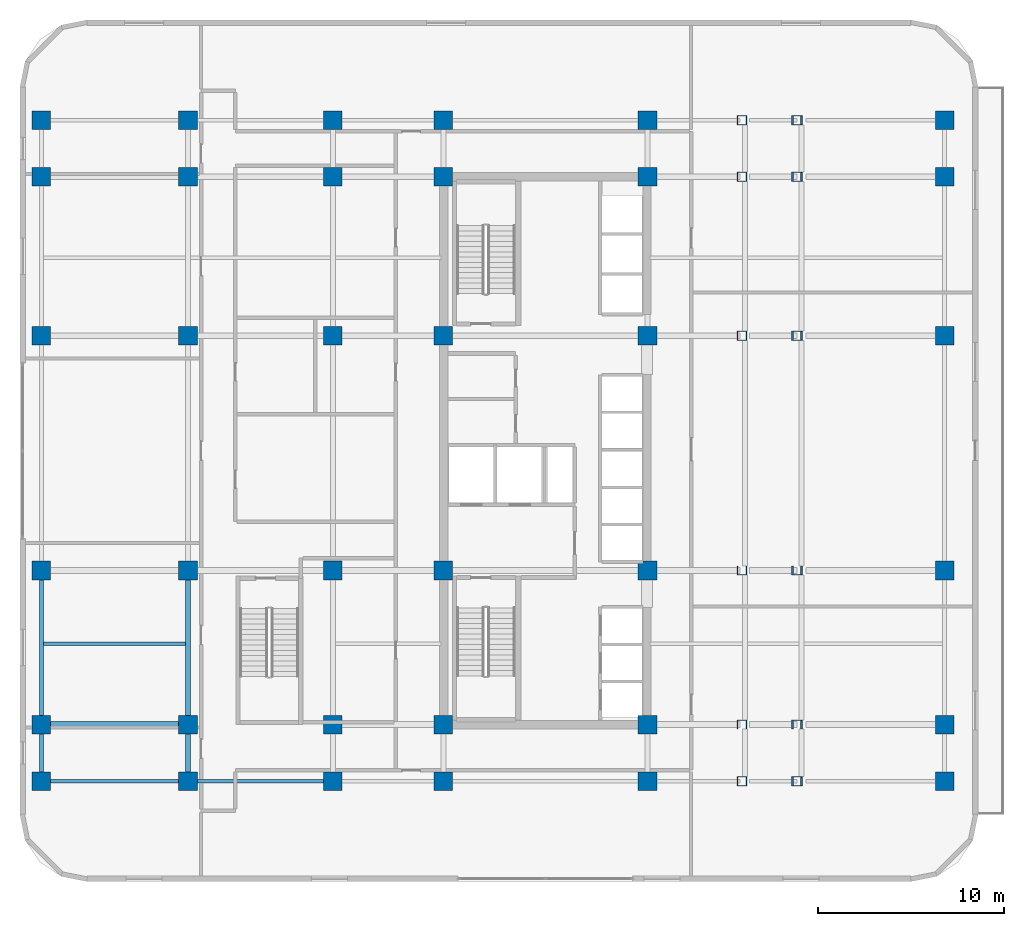
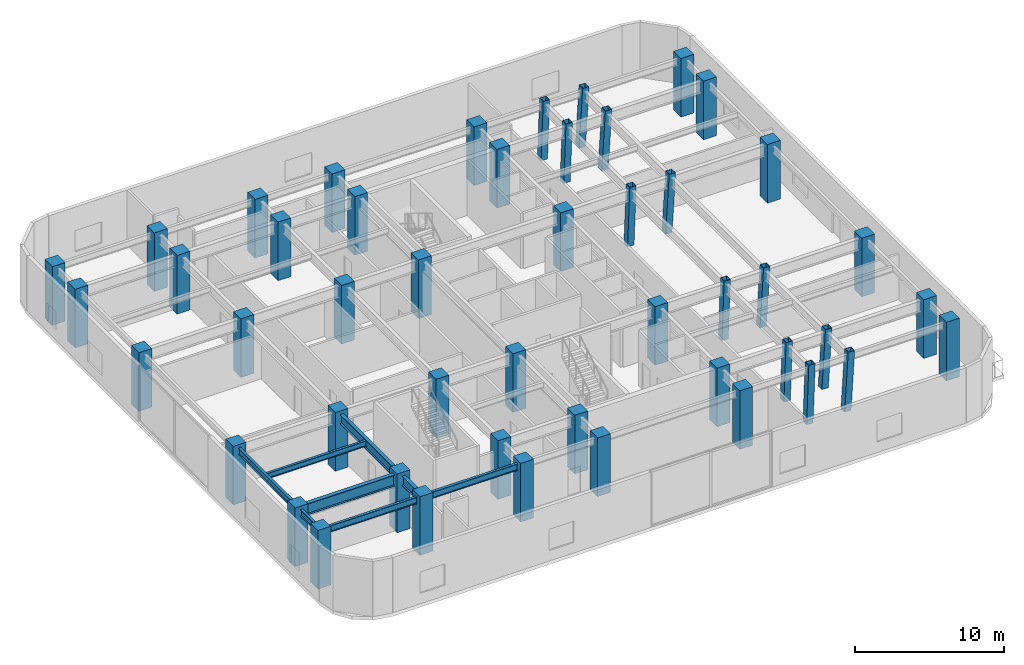
# One storey, part 1 of 12: 48 columns, 8 beams.
"""IFC4 building model written with IfcOpenShell, lengths in metres."""

from ifc_helpers import new_model, si_unit, direction, frame, origin, origin_2d, place, context, subcontext, project, spatial, rectangle, hollow_rectangle, i_section, extrude, material, material_profile, profile_set, type_object, element, save


model = new_model("IFC4")

# Units and contexts
model_context = context("Model", 3, precision=1e-05, world=origin(), true_north=direction((0.0, 1.0)))
body_context = subcontext(model_context, "Body", "Model", "MODEL_VIEW")
ifc_project = project(units=[si_unit("LENGTHUNIT", "METRE"), si_unit("AREAUNIT", "SQUARE_METRE"), si_unit("VOLUMEUNIT", "CUBIC_METRE"), si_unit("PLANEANGLEUNIT", "RADIAN"), si_unit("MASSUNIT", "GRAM", prefix="KILO")], contexts=[model_context])

# Site, building, storey
site_placement = place(None, origin())
site = spatial("IfcSite", under=ifc_project, at=site_placement, CompositionType="ELEMENT")
building_placement = place(site_placement, origin())
building = spatial("IfcBuilding", under=site, at=building_placement, Name="Ochreholt Gables", CompositionType="ELEMENT")
storey_placement = place(building_placement, frame((0.0, 0.0, 9.60009765625)))
storey = spatial("IfcBuildingStorey", under=building, at=storey_placement, Name="L02", CompositionType="ELEMENT", Elevation=9.60009765625)

# Columns
ifc_material_1 = material(Name="Steel CSA G40.21 350W", Category="steel")
ifc_material_profile_1 = material_profile(ifc_material_1, hollow_rectangle(XDim=0.5, YDim=0.5, WallThickness=0.02197265625, at=origin_2d()), Name="HSS500X500X22")
ifc_profile_set_1 = profile_set([ifc_material_profile_1], Name="Steel CSA G40.21 350W")
column_type_1 = type_object("IfcColumnType", Name="COL-HSS500-RAK", PredefinedType="COLUMN", material=ifc_profile_set_1)
for number, where, z_axis, x_axis, name in (
    (1, (40.27197265625, 9.25, 0.0), (0.034973505036, 0.0, 0.999388239847), (0.0, 1.0, 0.0), "L02 Column EMY2"),
    (2, (40.27197265625, 17.550048828125, 0.0), (0.034973505036, 0.0, 0.999388239847), (0.0, 1.0, 0.0), "L02 Column EMY3"),
    (3, (40.27197265625, 30.199951171875, 0.0), (0.034973505036, 0.0, 0.999388239847), (0.0, 1.0, 0.0), "L02 Column EMY4"),
    (4, (40.27197265625, 38.75, 0.0), (0.034973505036, 0.0, 0.999388239847), (0.0, 1.0, 0.0), "L02 Column EMY5"),
):
    element("IfcColumn", number, at=place(storey_placement, frame(where, z_axis=z_axis, x_axis=x_axis)), inside=storey, type_object=column_type_1, Name=name, PredefinedType="COLUMN", context=body_context, shape_type="SweptSolid", body=[
        extrude(hollow_rectangle(XDim=0.5, YDim=0.5, WallThickness=0.02197265625, at=origin_2d()), origin(), (0.0, 0.0, 1.0), 4.802734375),
    ])
for number, where, z_axis, x_axis, name in (
    (5, (43.213623046875, 9.25, 0.0), (0.057888518877, 0.0, 0.998323053617), (0.0, 1.0, 0.0), "L02 Column EEY2"),
    (6, (43.213623046875, 17.550048828125, 0.0), (0.057888518877, 0.0, 0.998323053617), (0.0, 1.0, 0.0), "L02 Column EEY3"),
    (7, (43.213623046875, 30.199951171875, 0.0), (0.057888518877, 0.0, 0.998323053617), (0.0, 1.0, 0.0), "L02 Column EEY4"),
    (8, (43.213623046875, 38.75, 0.0), (0.057888518877, 0.0, 0.998323053617), (0.0, 1.0, 0.0), "L02 Column EEY5"),
):
    element("IfcColumn", number, at=place(storey_placement, frame(where, z_axis=z_axis, x_axis=x_axis)), inside=storey, type_object=column_type_1, Name=name, PredefinedType="COLUMN", context=body_context, shape_type="SweptSolid", body=[
        extrude(hollow_rectangle(XDim=0.5, YDim=0.5, WallThickness=0.02197265625, at=origin_2d()), origin(), (0.0, 0.0, 1.0), 4.807861328125),
    ])
ifc_material_profile_2 = material_profile(ifc_material_1, hollow_rectangle(XDim=0.5, YDim=0.5, WallThickness=0.02197265625, at=origin_2d()), Name="HSS500X500X22")
ifc_profile_set_2 = profile_set([ifc_material_profile_2], Name="Steel CSA G40.21 350W")
column_type_2 = type_object("IfcColumnType", Name="COL-HSS500-RAKE", PredefinedType="COLUMN", material=ifc_profile_set_2)
for number, where, z_axis, x_axis, name in (
    (9, (40.27197265625, 6.199951171875, 0.0), (0.034973505036, 0.0, 0.999388239847), (0.0, 1.0, 0.0), "L02 Column EMY1"),
    (10, (40.27197265625, 41.800048828125, 0.0), (0.034973505036, 0.0, 0.999388239847), (0.0, 1.0, 0.0), "L02 Column EMY6"),
):
    element("IfcColumn", number, at=place(storey_placement, frame(where, z_axis=z_axis, x_axis=x_axis)), inside=storey, type_object=column_type_2, Name=name, PredefinedType="COLUMN", context=body_context, shape_type="SweptSolid", body=[
        extrude(hollow_rectangle(XDim=0.5, YDim=0.5, WallThickness=0.02197265625, at=origin_2d()), origin(), (0.0, 0.0, 1.0), 4.802734375),
    ])
for number, where, z_axis, x_axis, name in (
    (11, (43.213623046875, 6.199951171875, 0.0), (0.057888518877, 0.0, 0.998323053617), (0.0, 1.0, 0.0), "L02 Column EEY1"),
    (12, (43.213623046875, 41.800048828125, 0.0), (0.057888518877, 0.0, 0.998323053617), (0.0, 1.0, 0.0), "L02 Column EEY6"),
):
    element("IfcColumn", number, at=place(storey_placement, frame(where, z_axis=z_axis, x_axis=x_axis)), inside=storey, type_object=column_type_2, Name=name, PredefinedType="COLUMN", context=body_context, shape_type="SweptSolid", body=[
        extrude(hollow_rectangle(XDim=0.5, YDim=0.5, WallThickness=0.02197265625, at=origin_2d()), origin(), (0.0, 0.0, 1.0), 4.807861328125),
    ])
ifc_material_2 = material(Name="Concrete 60 MPa", Category="concrete")
ifc_material_profile_3 = material_profile(ifc_material_2, rectangle(XDim=1.0, YDim=1.0, at=origin_2d()), Name="RC1000X1000")
ifc_profile_set_3 = profile_set([ifc_material_profile_3], Name="Concrete 60 MPa")
column_type_3 = type_object("IfcColumnType", Name="COL-RC1000-EXT", PredefinedType="COLUMN", material=ifc_profile_set_3)
for number, where, z_axis, x_axis, name in (
    (13, (2.550048828125, 6.199951171875, 0.0), (0.0, 0.0, 1.0), (1.0, 0.0, 0.0), "L02 Column W1Y1"),
    (14, (2.550048828125, 9.25, 0.0), (0.0, 0.0, 1.0), (1.0, 0.0, 0.0), "L02 Column W1Y2"),
    (15, (2.550048828125, 17.550048828125, 0.0), (0.0, 0.0, 1.0), (1.0, 0.0, 0.0), "L02 Column W1Y3"),
    (16, (2.550048828125, 30.199951171875, 0.0), (0.0, 0.0, 1.0), (1.0, 0.0, 0.0), "L02 Column W1Y4"),
    (17, (2.550048828125, 38.75, 0.0), (0.0, 0.0, 1.0), (1.0, 0.0, 0.0), "L02 Column W1Y5"),
    (18, (2.550048828125, 41.800048828125, 0.0), (0.0, 0.0, 1.0), (1.0, 0.0, 0.0), "L02 Column W1Y6"),
    (19, (10.449951171875, 6.199951171875, 0.0), (0.0, 0.0, 1.0), (1.0, 0.0, 0.0), "L02 Column W2Y1"),
    (20, (10.449951171875, 41.800048828125, 0.0), (0.0, 0.0, 1.0), (1.0, 0.0, 0.0), "L02 Column W2Y6"),
    (21, (18.25, 6.199951171875, 0.0), (0.0, 0.0, 1.0), (1.0, 0.0, 0.0), "L02 Column W3Y1"),
    (22, (18.25, 41.800048828125, 0.0), (0.0, 0.0, 1.0), (1.0, 0.0, 0.0), "L02 Column W3Y6"),
    (23, (24.199951171875, 6.199951171875, 0.0), (0.0, 0.0, 1.0), (1.0, 0.0, 0.0), "L02 Column C1Y1"),
    (24, (24.199951171875, 41.800048828125, 0.0), (0.0, 0.0, 1.0), (1.0, 0.0, 0.0), "L02 Column C1Y6"),
    (25, (35.199951171875, 6.199951171875, 0.0), (0.0, 0.0, 1.0), (1.0, 0.0, 0.0), "L02 Column C2Y1"),
    (26, (35.199951171875, 41.800048828125, 0.0), (0.0, 0.0, 1.0), (1.0, 0.0, 0.0), "L02 Column C2Y6"),
    (27, (51.199951171875, 6.199951171875, 0.0), (0.0, 0.0, 1.0), (1.0, 0.0, 0.0), "L02 Column E3Y1"),
    (28, (51.199951171875, 9.25, 0.0), (0.0, 0.0, 1.0), (1.0, 0.0, 0.0), "L02 Column E3Y2"),
    (29, (51.199951171875, 17.550048828125, 0.0), (0.0, 0.0, 1.0), (1.0, 0.0, 0.0), "L02 Column E3Y3"),
    (30, (51.199951171875, 30.199951171875, 0.0), (0.0, 0.0, 1.0), (1.0, 0.0, 0.0), "L02 Column E3Y4"),
    (31, (51.199951171875, 38.75, 0.0), (0.0, 0.0, 1.0), (1.0, 0.0, 0.0), "L02 Column E3Y5"),
    (32, (51.199951171875, 41.800048828125, 0.0), (0.0, 0.0, 1.0), (1.0, 0.0, 0.0), "L02 Column E3Y6"),
):
    element("IfcColumn", number, at=place(storey_placement, frame(where, z_axis=z_axis, x_axis=x_axis)), inside=storey, type_object=column_type_3, Name=name, PredefinedType="COLUMN", context=body_context, shape_type="SweptSolid", body=[
        extrude(rectangle(XDim=1.0, YDim=1.0, at=origin_2d()), origin(), (0.0, 0.0, 1.0), 4.7998046875),
    ])
ifc_material_profile_4 = material_profile(ifc_material_2, rectangle(XDim=1.0, YDim=1.0, at=origin_2d()), Name="RC1000X1000")
ifc_profile_set_4 = profile_set([ifc_material_profile_4], Name="Concrete 60 MPa")
column_type_4 = type_object("IfcColumnType", Name="COL-RC1000-INT", PredefinedType="COLUMN", material=ifc_profile_set_4)
for number, where, z_axis, x_axis, name in (
    (33, (10.449951171875, 9.25, 0.0), (0.0, 0.0, 1.0), (1.0, 0.0, 0.0), "L02 Column W2Y2"),
    (34, (10.449951171875, 17.550048828125, 0.0), (0.0, 0.0, 1.0), (1.0, 0.0, 0.0), "L02 Column W2Y3"),
    (35, (10.449951171875, 30.199951171875, 0.0), (0.0, 0.0, 1.0), (1.0, 0.0, 0.0), "L02 Column W2Y4"),
    (36, (10.449951171875, 38.75, 0.0), (0.0, 0.0, 1.0), (1.0, 0.0, 0.0), "L02 Column W2Y5"),
    (37, (18.25, 9.25, 0.0), (0.0, 0.0, 1.0), (1.0, 0.0, 0.0), "L02 Column W3Y2"),
    (38, (18.25, 17.550048828125, 0.0), (0.0, 0.0, 1.0), (1.0, 0.0, 0.0), "L02 Column W3Y3"),
    (39, (18.25, 30.199951171875, 0.0), (0.0, 0.0, 1.0), (1.0, 0.0, 0.0), "L02 Column W3Y4"),
    (40, (18.25, 38.75, 0.0), (0.0, 0.0, 1.0), (1.0, 0.0, 0.0), "L02 Column W3Y5"),
    (41, (24.199951171875, 9.25, 0.0), (0.0, 0.0, 1.0), (1.0, 0.0, 0.0), "L02 Column C1Y2"),
    (42, (24.199951171875, 17.550048828125, 0.0), (0.0, 0.0, 1.0), (1.0, 0.0, 0.0), "L02 Column C1Y3"),
    (43, (24.199951171875, 30.199951171875, 0.0), (0.0, 0.0, 1.0), (1.0, 0.0, 0.0), "L02 Column C1Y4"),
    (44, (24.199951171875, 38.75, 0.0), (0.0, 0.0, 1.0), (1.0, 0.0, 0.0), "L02 Column C1Y5"),
    (45, (35.199951171875, 9.25, 0.0), (0.0, 0.0, 1.0), (1.0, 0.0, 0.0), "L02 Column C2Y2"),
    (46, (35.199951171875, 17.550048828125, 0.0), (0.0, 0.0, 1.0), (1.0, 0.0, 0.0), "L02 Column C2Y3"),
    (47, (35.199951171875, 30.199951171875, 0.0), (0.0, 0.0, 1.0), (1.0, 0.0, 0.0), "L02 Column C2Y4"),
    (48, (35.199951171875, 38.75, 0.0), (0.0, 0.0, 1.0), (1.0, 0.0, 0.0), "L02 Column C2Y5"),
):
    element("IfcColumn", number, at=place(storey_placement, frame(where, z_axis=z_axis, x_axis=x_axis)), inside=storey, type_object=column_type_4, Name=name, PredefinedType="COLUMN", context=body_context, shape_type="SweptSolid", body=[
        extrude(rectangle(XDim=1.0, YDim=1.0, at=origin_2d()), origin(), (0.0, 0.0, 1.0), 4.7998046875),
    ])

# Beams
ifc_material_profile_5 = material_profile(ifc_material_1, i_section(OverallWidth=0.26806640625, OverallDepth=0.77001953125, WebThickness=0.015625, FlangeThickness=0.025390625, at=origin_2d()), Name="W760X196")
ifc_profile_set_5 = profile_set([ifc_material_profile_5], Name="Steel CSA G40.21 350W")
beam_type_1 = type_object("IfcBeamType", Name="BM-G-W760", PredefinedType="BEAM", material=ifc_profile_set_5)
beam_1_placement = place(storey_placement, frame((10.449951171875, 6.69970703125, 4.135009765625), z_axis=(0.0, 1.0, 0.0), x_axis=(-1.0, 0.0, 0.0)))
element("IfcBeam", 49, at=beam_1_placement, inside=storey, type_object=beam_type_1, Name="L02 Beam BG-L02-W2-Y1Y2", PredefinedType="BEAM", context=body_context, shape_type="SweptSolid", body=[
    extrude(i_section(OverallWidth=0.26806640625, OverallDepth=0.77001953125, WebThickness=0.015625, FlangeThickness=0.025390625, at=origin_2d()), origin(), (0.0, 0.0, 1.0), 2.05078125),
])
beam_2_placement = place(storey_placement, frame((10.449951171875, 9.74951171875, 4.135009765625), z_axis=(0.0, 1.0, 0.0), x_axis=(-1.0, 0.0, 0.0)))
element("IfcBeam", 50, at=beam_2_placement, inside=storey, type_object=beam_type_1, Name="L02 Beam BG-L02-W2-Y2Y3", PredefinedType="BEAM", context=body_context, shape_type="SweptSolid", body=[
    extrude(i_section(OverallWidth=0.26806640625, OverallDepth=0.77001953125, WebThickness=0.015625, FlangeThickness=0.025390625, at=origin_2d()), origin(), (0.0, 0.0, 1.0), 7.30078125),
])
ifc_material_profile_6 = material_profile(ifc_material_1, i_section(OverallWidth=0.30810546875, OverallDepth=0.927001953125, WebThickness=0.019287109375, FlangeThickness=0.031982421875, at=origin_2d()), Name="W920X289")
ifc_profile_set_6 = profile_set([ifc_material_profile_6], Name="Steel CSA G40.21 350W")
beam_type_2 = type_object("IfcBeamType", Name="BM-G-W920", PredefinedType="BEAM", material=ifc_profile_set_6)
beam_3_placement = place(storey_placement, frame((3.049560546875, 9.25, 4.056396484375), z_axis=(1.0, 0.0, 0.0), x_axis=(0.0, 1.0, 0.0)))
element("IfcBeam", 51, at=beam_3_placement, inside=storey, type_object=beam_type_2, Name="L02 Beam BG-L02-W1W2-Y2", PredefinedType="BEAM", context=body_context, shape_type="SweptSolid", body=[
    extrude(i_section(OverallWidth=0.30810546875, OverallDepth=0.927001953125, WebThickness=0.019287109375, FlangeThickness=0.031982421875, at=origin_2d()), origin(), (0.0, 0.0, 1.0), 6.90087890625),
])
ifc_material_profile_7 = material_profile(ifc_material_1, i_section(OverallWidth=0.18994140625, OverallDepth=0.45703125, WebThickness=0.009033203125, FlangeThickness=0.014404296875, at=origin_2d()), Name="W460X74")
ifc_profile_set_7 = profile_set([ifc_material_profile_7], Name="Steel CSA G40.21 350W")
beam_type_3 = type_object("IfcBeamType", Name="BM-J-W460B", PredefinedType="JOIST", material=ifc_profile_set_7)
beam_4_placement = place(storey_placement, frame((2.654052734375, 13.60009765625, 4.29150390625), z_axis=(1.0, 0.0, 0.0), x_axis=(0.0, 1.0, 0.0)))
element("IfcBeam", 52, at=beam_4_placement, inside=storey, type_object=beam_type_3, Name="L02 Beam BJ-L02-J1-W1W2", PredefinedType="JOIST", context=body_context, shape_type="SweptSolid", body=[
    extrude(i_section(OverallWidth=0.18994140625, OverallDepth=0.45703125, WebThickness=0.009033203125, FlangeThickness=0.014404296875, at=origin_2d()), origin(), (0.0, 0.0, 1.0), 7.662353515625),
])
ifc_material_profile_8 = material_profile(ifc_material_1, i_section(OverallWidth=0.208984375, OverallDepth=0.532958984375, WebThickness=0.01025390625, FlangeThickness=0.015625, at=origin_2d()), Name="W530X92")
ifc_profile_set_8 = profile_set([ifc_material_profile_8], Name="Steel CSA G40.21 350W")
beam_type_4 = type_object("IfcBeamType", Name="BM-SP-W530B", PredefinedType="SPANDREL", material=ifc_profile_set_8)
beam_5_placement = place(storey_placement, frame((3.049560546875, 6.199951171875, 4.25341796875), z_axis=(1.0, 0.0, 0.0), x_axis=(0.0, 1.0, 0.0)))
element("IfcBeam", 53, at=beam_5_placement, inside=storey, type_object=beam_type_4, Name="L02 Beam BG-L02-W1W2-Y1", PredefinedType="SPANDREL", context=body_context, shape_type="SweptSolid", body=[
    extrude(i_section(OverallWidth=0.208984375, OverallDepth=0.532958984375, WebThickness=0.01025390625, FlangeThickness=0.015625, at=origin_2d()), origin(), (0.0, 0.0, 1.0), 6.90087890625),
])
beam_6_placement = place(storey_placement, frame((10.94970703125, 6.199951171875, 4.25341796875), z_axis=(1.0, 0.0, 0.0), x_axis=(0.0, 1.0, 0.0)))
element("IfcBeam", 54, at=beam_6_placement, inside=storey, type_object=beam_type_4, Name="L02 Beam BG-L02-W2W3-Y1", PredefinedType="SPANDREL", context=body_context, shape_type="SweptSolid", body=[
    extrude(i_section(OverallWidth=0.208984375, OverallDepth=0.532958984375, WebThickness=0.01025390625, FlangeThickness=0.015625, at=origin_2d()), origin(), (0.0, 0.0, 1.0), 6.80078125),
])
beam_7_placement = place(storey_placement, frame((2.550048828125, 6.69970703125, 4.25341796875), z_axis=(0.0, 1.0, 0.0), x_axis=(-1.0, 0.0, 0.0)))
element("IfcBeam", 55, at=beam_7_placement, inside=storey, type_object=beam_type_4, Name="L02 Beam BG-L02-W1-Y1Y2", PredefinedType="SPANDREL", context=body_context, shape_type="SweptSolid", body=[
    extrude(i_section(OverallWidth=0.208984375, OverallDepth=0.532958984375, WebThickness=0.01025390625, FlangeThickness=0.015625, at=origin_2d()), origin(), (0.0, 0.0, 1.0), 2.05078125),
])
beam_8_placement = place(storey_placement, frame((2.550048828125, 9.74951171875, 4.25341796875), z_axis=(0.0, 1.0, 0.0), x_axis=(-1.0, 0.0, 0.0)))
element("IfcBeam", 56, at=beam_8_placement, inside=storey, type_object=beam_type_4, Name="L02 Beam BG-L02-W1-Y2Y3", PredefinedType="SPANDREL", context=body_context, shape_type="SweptSolid", body=[
    extrude(i_section(OverallWidth=0.208984375, OverallDepth=0.532958984375, WebThickness=0.01025390625, FlangeThickness=0.015625, at=origin_2d()), origin(), (0.0, 0.0, 1.0), 7.30078125),
])

save(model, "model.ifc")
